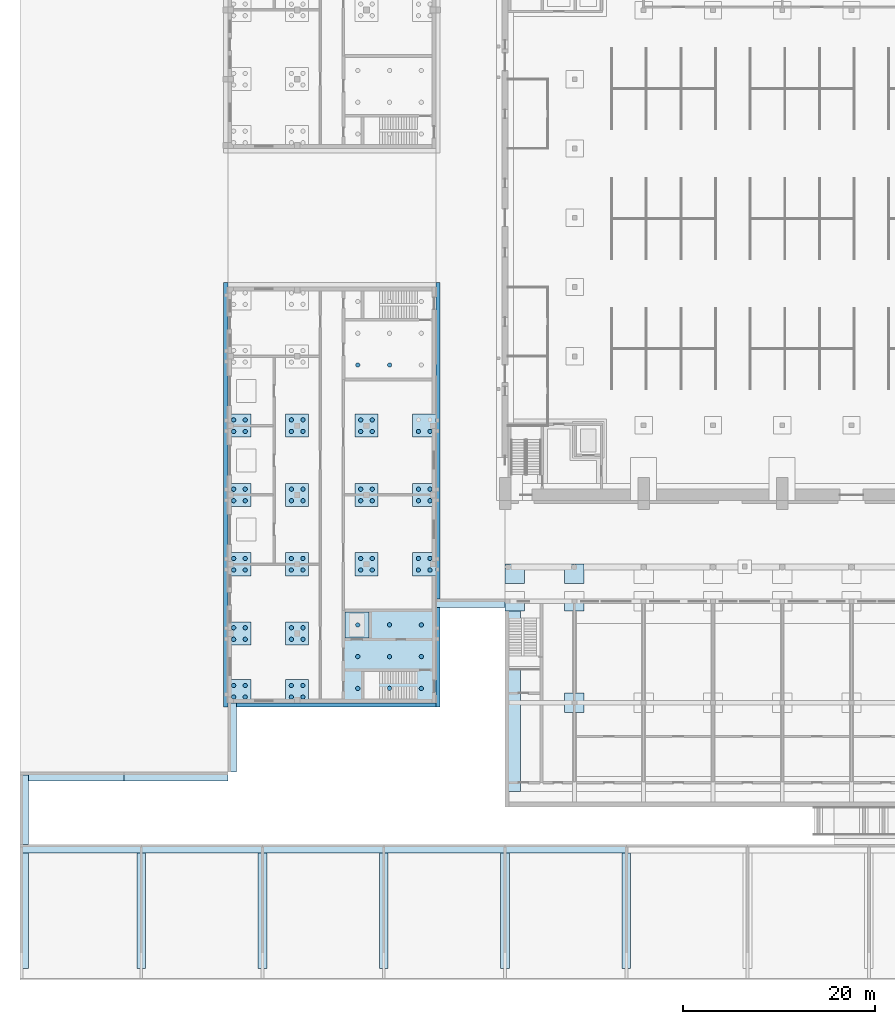
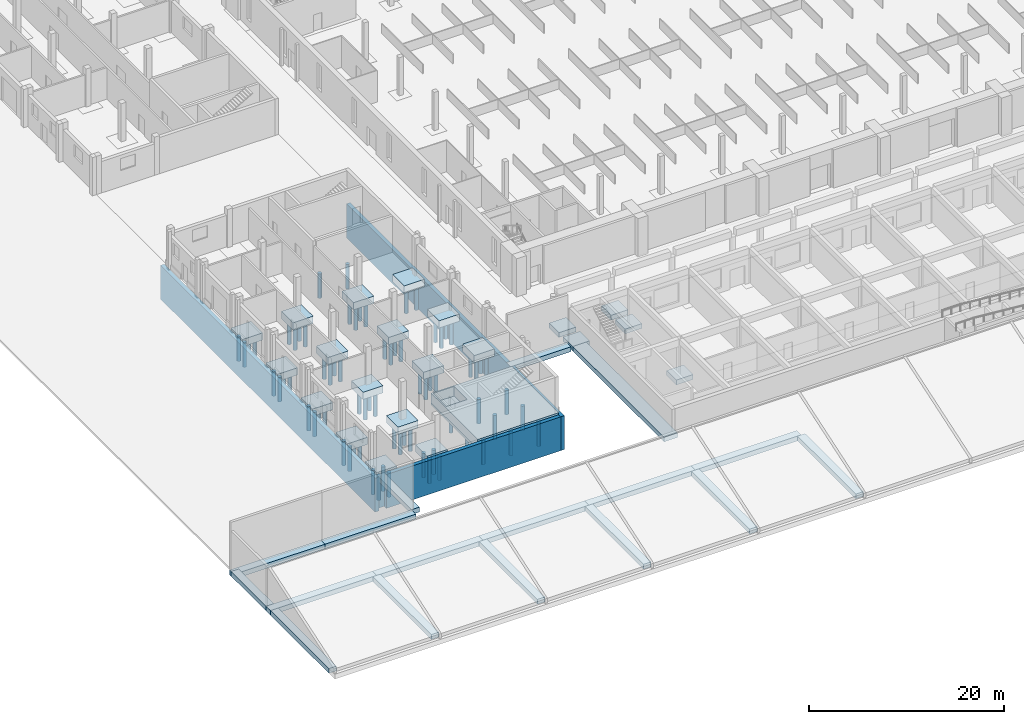
# One storey, part 1 of 73: 73 piles, 43 footings.
"""IFC4 building model written with IfcOpenShell, lengths in metres."""

from ifc_helpers import new_model, si_unit, direction, frame, origin, origin_2d, place, context, subcontext, project, spatial, polyline, circle, outline, extrude, material, material_profile, profile_set, type_object, element, save


model = new_model("IFC4")

# Units and contexts
model_context = context("Model", 3, precision=1e-05, world=origin(), true_north=direction((0.0, 1.0)))
body_context = subcontext(model_context, "Body", "Model", "MODEL_VIEW")
ifc_project = project(units=[si_unit("LENGTHUNIT", "METRE"), si_unit("AREAUNIT", "SQUARE_METRE"), si_unit("VOLUMEUNIT", "CUBIC_METRE"), si_unit("PLANEANGLEUNIT", "RADIAN"), si_unit("MASSUNIT", "GRAM", prefix="KILO")], contexts=[model_context])

# Site, building, storey
site_placement = place(None, origin())
site = spatial("IfcSite", under=ifc_project, at=site_placement, CompositionType="ELEMENT")
building_placement = place(site_placement, origin())
building = spatial("IfcBuilding", under=site, at=building_placement, Name="Alderwick Market Hall", CompositionType="ELEMENT")
storey_placement = place(building_placement, origin())
storey = spatial("IfcBuildingStorey", under=building, at=storey_placement, Name="LG", CompositionType="ELEMENT", Elevation=0.0)

# Footings
ifc_material_1 = material(Name="Concrete 4000 psi (f'c 28 MPa)", Category="concrete")
footing_type_1 = type_object("IfcFootingType", Name="A Pad Footing 2000x2000x600", PredefinedType="PAD_FOOTING", material=ifc_material_1)
footing_1_placement = place(storey_placement, frame((0.0, 0.0, -0.60009765625)))
element("IfcFooting", 1, at=footing_1_placement, inside=storey, type_object=footing_type_1, Name="A.S.pad.F00", PredefinedType="PAD_FOOTING", context=body_context, shape_type="SweptSolid", body=[
    extrude(outline(polyline([(50.39990234375, 38.35009765625), (52.39990234375, 38.35009765625), (52.39990234375, 40.35009765625), (50.39990234375, 40.35009765625), (50.39990234375, 38.35009765625)])), origin(), (0.0, 0.0, 1.0), 0.60009765625),
])
footing_2_placement = place(storey_placement, frame((0.0, 0.0, -0.60009765625)))
element("IfcFooting", 2, at=footing_2_placement, inside=storey, type_object=footing_type_1, Name="A.S.pad.F01", PredefinedType="PAD_FOOTING", context=body_context, shape_type="SweptSolid", body=[
    extrude(outline(polyline([(56.60009765625, 38.35009765625), (58.60009765625, 38.35009765625), (58.60009765625, 40.35009765625), (56.60009765625, 40.35009765625), (56.60009765625, 38.35009765625)])), origin(), (0.0, 0.0, 1.0), 0.60009765625),
])
footing_3_placement = place(storey_placement, frame((0.0, 0.0, -0.60009765625)))
element("IfcFooting", 3, at=footing_3_placement, inside=storey, type_object=footing_type_1, Name="A.S.pad.M00", PredefinedType="PAD_FOOTING", context=body_context, shape_type="SweptSolid", body=[
    extrude(outline(polyline([(56.60009765625, 27.800048828125), (58.60009765625, 27.800048828125), (58.60009765625, 29.800048828125), (56.60009765625, 29.800048828125), (56.60009765625, 27.800048828125)])), origin(), (0.0, 0.0, 1.0), 0.60009765625),
])
footing_4_placement = place(storey_placement, frame((0.0, 0.0, -0.60009765625)))
element("IfcFooting", 4, at=footing_4_placement, inside=storey, type_object=footing_type_1, Name="A.S.pad.C00", PredefinedType="PAD_FOOTING", context=body_context, shape_type="SweptSolid", body=[
    extrude(outline(polyline([(50.39990234375, 41.199951171875), (52.39990234375, 41.199951171875), (52.39990234375, 43.199951171875), (50.39990234375, 43.199951171875), (50.39990234375, 41.199951171875)])), origin(), (0.0, 0.0, 1.0), 0.60009765625),
])
footing_5_placement = place(storey_placement, frame((0.0, 0.0, -0.60009765625)))
element("IfcFooting", 5, at=footing_5_placement, inside=storey, type_object=footing_type_1, Name="A.S.pad.C01", PredefinedType="PAD_FOOTING", context=body_context, shape_type="SweptSolid", body=[
    extrude(outline(polyline([(56.60009765625, 41.199951171875), (58.60009765625, 41.199951171875), (58.60009765625, 43.199951171875), (56.60009765625, 43.199951171875), (56.60009765625, 41.199951171875)])), origin(), (0.0, 0.0, 1.0), 0.60009765625),
])
footing_type_2 = type_object("IfcFootingType", Name="A Strip Footing 1600x600", PredefinedType="STRIP_FOOTING", material=ifc_material_1)
footing_6_placement = place(storey_placement, frame((0.0, 0.0, -0.60009765625)))
element("IfcFooting", 6, at=footing_6_placement, inside=storey, type_object=footing_type_2, Name="A.S.strip.W", PredefinedType="STRIP_FOOTING", context=body_context, shape_type="SweptSolid", body=[
    extrude(outline(polyline([(50.39990234375, 19.60009765625), (52.0, 19.60009765625), (52.0, 38.35009765625), (50.39990234375, 38.35009765625), (50.39990234375, 19.60009765625)])), origin(), (0.0, 0.0, 1.0), 0.60009765625),
])

# Piles
ifc_material_2 = material(Name="Concrete 5000 psi (f'c 35 MPa)", Category="concrete")
ifc_material_profile = material_profile(ifc_material_2, circle(Radius=0.22509765625, at=origin_2d()), Name="B Bored Pile D450")
ifc_profile_set = profile_set([ifc_material_profile], Name="Concrete 5000 psi (f'c 35 MPa)")
pile_type = type_object("IfcPileType", Name="B Bored Pile D450", PredefinedType="BORED", material=ifc_profile_set)
for number, where, z_axis, x_axis, name in (
    (7, (22.199951171875, 29.39990234375, -0.824951171875), (0.0, 0.0, -1.0), (1.0, 0.0, 0.0), "B.S.cap.003-003.pile1"),
    (8, (23.39990234375, 29.39990234375, -0.824951171875), (0.0, 0.0, -1.0), (1.0, 0.0, 0.0), "B.S.cap.003-003.pile2"),
    (9, (22.199951171875, 30.60009765625, -0.824951171875), (0.0, 0.0, -1.0), (1.0, 0.0, 0.0), "B.S.cap.003-003.pile3"),
    (10, (23.39990234375, 30.60009765625, -0.824951171875), (0.0, 0.0, -1.0), (1.0, 0.0, 0.0), "B.S.cap.003-003.pile4"),
    (11, (22.199951171875, 35.39990234375, -0.824951171875), (0.0, 0.0, -1.0), (1.0, 0.0, 0.0), "B.S.cap.003-072.pile1"),
    (12, (23.39990234375, 35.39990234375, -0.824951171875), (0.0, 0.0, -1.0), (1.0, 0.0, 0.0), "B.S.cap.003-072.pile2"),
    (13, (22.199951171875, 36.60009765625, -0.824951171875), (0.0, 0.0, -1.0), (1.0, 0.0, 0.0), "B.S.cap.003-072.pile3"),
    (14, (23.39990234375, 36.60009765625, -0.824951171875), (0.0, 0.0, -1.0), (1.0, 0.0, 0.0), "B.S.cap.003-072.pile4"),
    (15, (22.199951171875, 42.60009765625, -0.824951171875), (0.0, 0.0, -1.0), (1.0, 0.0, 0.0), "B.S.cap.003-144.pile1"),
    (16, (23.39990234375, 42.60009765625, -0.824951171875), (0.0, 0.0, -1.0), (1.0, 0.0, 0.0), "B.S.cap.003-144.pile2"),
    (17, (22.199951171875, 43.800048828125, -0.824951171875), (0.0, 0.0, -1.0), (1.0, 0.0, 0.0), "B.S.cap.003-144.pile3"),
    (18, (23.39990234375, 43.800048828125, -0.824951171875), (0.0, 0.0, -1.0), (1.0, 0.0, 0.0), "B.S.cap.003-144.pile4"),
    (19, (22.199951171875, 49.800048828125, -0.824951171875), (0.0, 0.0, -1.0), (1.0, 0.0, 0.0), "B.S.cap.003-216.pile1"),
    (20, (23.39990234375, 49.800048828125, -0.824951171875), (0.0, 0.0, -1.0), (1.0, 0.0, 0.0), "B.S.cap.003-216.pile2"),
    (21, (22.199951171875, 51.0, -0.824951171875), (0.0, 0.0, -1.0), (1.0, 0.0, 0.0), "B.S.cap.003-216.pile3"),
    (22, (23.39990234375, 51.0, -0.824951171875), (0.0, 0.0, -1.0), (1.0, 0.0, 0.0), "B.S.cap.003-216.pile4"),
    (23, (22.199951171875, 57.0, -0.824951171875), (0.0, 0.0, -1.0), (1.0, 0.0, 0.0), "B.S.cap.003-288.pile1"),
    (24, (23.39990234375, 57.0, -0.824951171875), (0.0, 0.0, -1.0), (1.0, 0.0, 0.0), "B.S.cap.003-288.pile2"),
    (25, (22.199951171875, 58.199951171875, -0.824951171875), (0.0, 0.0, -1.0), (1.0, 0.0, 0.0), "B.S.cap.003-288.pile3"),
    (26, (23.39990234375, 58.199951171875, -0.824951171875), (0.0, 0.0, -1.0), (1.0, 0.0, 0.0), "B.S.cap.003-288.pile4"),
    (27, (28.199951171875, 29.39990234375, -0.824951171875), (0.0, 0.0, -1.0), (1.0, 0.0, 0.0), "B.S.cap.072-003.pile1"),
    (28, (29.39990234375, 29.39990234375, -0.824951171875), (0.0, 0.0, -1.0), (1.0, 0.0, 0.0), "B.S.cap.072-003.pile2"),
    (29, (28.199951171875, 30.60009765625, -0.824951171875), (0.0, 0.0, -1.0), (1.0, 0.0, 0.0), "B.S.cap.072-003.pile3"),
    (30, (29.39990234375, 30.60009765625, -0.824951171875), (0.0, 0.0, -1.0), (1.0, 0.0, 0.0), "B.S.cap.072-003.pile4"),
    (31, (28.199951171875, 35.39990234375, -0.824951171875), (0.0, 0.0, -1.0), (1.0, 0.0, 0.0), "B.S.cap.072-072.pile1"),
    (32, (29.39990234375, 35.39990234375, -0.824951171875), (0.0, 0.0, -1.0), (1.0, 0.0, 0.0), "B.S.cap.072-072.pile2"),
    (33, (28.199951171875, 36.60009765625, -0.824951171875), (0.0, 0.0, -1.0), (1.0, 0.0, 0.0), "B.S.cap.072-072.pile3"),
    (34, (29.39990234375, 36.60009765625, -0.824951171875), (0.0, 0.0, -1.0), (1.0, 0.0, 0.0), "B.S.cap.072-072.pile4"),
    (35, (28.199951171875, 42.60009765625, -0.824951171875), (0.0, 0.0, -1.0), (1.0, 0.0, 0.0), "B.S.cap.072-144.pile1"),
    (36, (29.39990234375, 42.60009765625, -0.824951171875), (0.0, 0.0, -1.0), (1.0, 0.0, 0.0), "B.S.cap.072-144.pile2"),
    (37, (28.199951171875, 43.800048828125, -0.824951171875), (0.0, 0.0, -1.0), (1.0, 0.0, 0.0), "B.S.cap.072-144.pile3"),
    (38, (29.39990234375, 43.800048828125, -0.824951171875), (0.0, 0.0, -1.0), (1.0, 0.0, 0.0), "B.S.cap.072-144.pile4"),
    (39, (28.199951171875, 49.800048828125, -0.824951171875), (0.0, 0.0, -1.0), (1.0, 0.0, 0.0), "B.S.cap.072-216.pile1"),
    (40, (29.39990234375, 49.800048828125, -0.824951171875), (0.0, 0.0, -1.0), (1.0, 0.0, 0.0), "B.S.cap.072-216.pile2"),
    (41, (28.199951171875, 51.0, -0.824951171875), (0.0, 0.0, -1.0), (1.0, 0.0, 0.0), "B.S.cap.072-216.pile3"),
    (42, (29.39990234375, 51.0, -0.824951171875), (0.0, 0.0, -1.0), (1.0, 0.0, 0.0), "B.S.cap.072-216.pile4"),
    (43, (28.199951171875, 57.0, -0.824951171875), (0.0, 0.0, -1.0), (1.0, 0.0, 0.0), "B.S.cap.072-288.pile1"),
    (44, (29.39990234375, 57.0, -0.824951171875), (0.0, 0.0, -1.0), (1.0, 0.0, 0.0), "B.S.cap.072-288.pile2"),
    (45, (28.199951171875, 58.199951171875, -0.824951171875), (0.0, 0.0, -1.0), (1.0, 0.0, 0.0), "B.S.cap.072-288.pile3"),
    (46, (29.39990234375, 58.199951171875, -0.824951171875), (0.0, 0.0, -1.0), (1.0, 0.0, 0.0), "B.S.cap.072-288.pile4"),
    (47, (35.39990234375, 42.60009765625, -0.824951171875), (0.0, 0.0, -1.0), (1.0, 0.0, 0.0), "B.S.cap.144-144.pile1"),
    (48, (36.60009765625, 42.60009765625, -0.824951171875), (0.0, 0.0, -1.0), (1.0, 0.0, 0.0), "B.S.cap.144-144.pile2"),
    (49, (35.39990234375, 43.800048828125, -0.824951171875), (0.0, 0.0, -1.0), (1.0, 0.0, 0.0), "B.S.cap.144-144.pile3"),
    (50, (36.60009765625, 43.800048828125, -0.824951171875), (0.0, 0.0, -1.0), (1.0, 0.0, 0.0), "B.S.cap.144-144.pile4"),
    (51, (35.39990234375, 49.800048828125, -0.824951171875), (0.0, 0.0, -1.0), (1.0, 0.0, 0.0), "B.S.cap.144-216.pile1"),
    (52, (36.60009765625, 49.800048828125, -0.824951171875), (0.0, 0.0, -1.0), (1.0, 0.0, 0.0), "B.S.cap.144-216.pile2"),
    (53, (35.39990234375, 51.0, -0.824951171875), (0.0, 0.0, -1.0), (1.0, 0.0, 0.0), "B.S.cap.144-216.pile3"),
    (54, (36.60009765625, 51.0, -0.824951171875), (0.0, 0.0, -1.0), (1.0, 0.0, 0.0), "B.S.cap.144-216.pile4"),
    (55, (35.39990234375, 57.0, -0.824951171875), (0.0, 0.0, -1.0), (1.0, 0.0, 0.0), "B.S.cap.144-288.pile1"),
    (56, (36.60009765625, 57.0, -0.824951171875), (0.0, 0.0, -1.0), (1.0, 0.0, 0.0), "B.S.cap.144-288.pile2"),
    (57, (35.39990234375, 58.199951171875, -0.824951171875), (0.0, 0.0, -1.0), (1.0, 0.0, 0.0), "B.S.cap.144-288.pile3"),
    (58, (36.60009765625, 58.199951171875, -0.824951171875), (0.0, 0.0, -1.0), (1.0, 0.0, 0.0), "B.S.cap.144-288.pile4"),
    (59, (41.39990234375, 42.60009765625, -0.824951171875), (0.0, 0.0, -1.0), (1.0, 0.0, 0.0), "B.S.cap.213-144.pile1"),
    (60, (42.60009765625, 42.60009765625, -0.824951171875), (0.0, 0.0, -1.0), (1.0, 0.0, 0.0), "B.S.cap.213-144.pile2"),
    (61, (41.39990234375, 43.800048828125, -0.824951171875), (0.0, 0.0, -1.0), (1.0, 0.0, 0.0), "B.S.cap.213-144.pile3"),
    (62, (42.60009765625, 43.800048828125, -0.824951171875), (0.0, 0.0, -1.0), (1.0, 0.0, 0.0), "B.S.cap.213-144.pile4"),
    (63, (41.39990234375, 49.800048828125, -0.824951171875), (0.0, 0.0, -1.0), (1.0, 0.0, 0.0), "B.S.cap.213-216.pile1"),
    (64, (42.60009765625, 49.800048828125, -0.824951171875), (0.0, 0.0, -1.0), (1.0, 0.0, 0.0), "B.S.cap.213-216.pile2"),
    (65, (41.39990234375, 51.0, -0.824951171875), (0.0, 0.0, -1.0), (1.0, 0.0, 0.0), "B.S.cap.213-216.pile3"),
    (66, (42.60009765625, 51.0, -0.824951171875), (0.0, 0.0, -1.0), (1.0, 0.0, 0.0), "B.S.cap.213-216.pile4"),
    (67, (41.39990234375, 57.0, -0.824951171875), (0.0, 0.0, -1.0), (1.0, 0.0, 0.0), "B.S.cap.213-288.pile1"),
    (68, (42.60009765625, 57.0, -0.824951171875), (0.0, 0.0, -1.0), (1.0, 0.0, 0.0), "B.S.cap.213-288.pile2"),
    (69, (35.10009765625, 30.300048828125, -1.425048828125), (0.0, 0.0, -1.0), (1.0, 0.0, 0.0), "B.S.raft.S-1.pile1"),
    (70, (38.39990234375, 30.300048828125, -1.425048828125), (0.0, 0.0, -1.0), (1.0, 0.0, 0.0), "B.S.raft.S-1.pile2"),
    (71, (41.699951171875, 30.300048828125, -1.425048828125), (0.0, 0.0, -1.0), (1.0, 0.0, 0.0), "B.S.raft.S-1.pile3"),
    (72, (35.10009765625, 33.60009765625, -1.425048828125), (0.0, 0.0, -1.0), (1.0, 0.0, 0.0), "B.S.raft.S-1.pile4"),
    (73, (38.39990234375, 33.60009765625, -1.425048828125), (0.0, 0.0, -1.0), (1.0, 0.0, 0.0), "B.S.raft.S-1.pile5"),
    (74, (41.699951171875, 33.60009765625, -1.425048828125), (0.0, 0.0, -1.0), (1.0, 0.0, 0.0), "B.S.raft.S-1.pile6"),
    (75, (35.10009765625, 36.89990234375, -1.425048828125), (0.0, 0.0, -1.0), (1.0, 0.0, 0.0), "B.S.raft.S-1.pile7"),
    (76, (38.39990234375, 36.89990234375, -1.425048828125), (0.0, 0.0, -1.0), (1.0, 0.0, 0.0), "B.S.raft.S-1.pile8"),
    (77, (41.699951171875, 36.89990234375, -1.425048828125), (0.0, 0.0, -1.0), (1.0, 0.0, 0.0), "B.S.raft.S-1.pile9"),
    (78, (35.10009765625, 63.89990234375, -0.875), (0.0, 0.0, -1.0), (1.0, 0.0, 0.0), "B.S.raft.S-2.pile1"),
    (79, (38.39990234375, 63.89990234375, -0.875), (0.0, 0.0, -1.0), (1.0, 0.0, 0.0), "B.S.raft.S-2.pile2"),
):
    element("IfcPile", number, at=place(storey_placement, frame(where, z_axis=z_axis, x_axis=x_axis)), inside=storey, type_object=pile_type, Name=name, PredefinedType="BORED", context=body_context, shape_type="SweptSolid", body=[
        extrude(circle(Radius=0.22509765625, at=origin_2d()), origin(), (0.0, 0.0, 1.0), 3.074951171875),
    ])

# Footings
footing_type_3 = type_object("IfcFootingType", Name="B Core Raft 1200", PredefinedType="PAD_FOOTING", material=ifc_material_2)
footing_7_placement = place(storey_placement, frame((0.0, 0.0, -1.199951171875)))
element("IfcFooting", 80, at=footing_7_placement, inside=storey, type_object=footing_type_3, Name="Core raft S-1", PredefinedType="PAD_FOOTING", context=body_context, shape_type="SweptSolid", body=[
    extrude(outline(polyline([(33.60009765625, 28.800048828125), (33.60009765625, 38.39990234375), (43.199951171875, 38.39990234375), (43.199951171875, 28.800048828125), (33.60009765625, 28.800048828125)]), holes=[polyline([(36.25, 35.550048828125), (36.25, 38.25), (33.75, 38.25), (33.75, 35.550048828125), (36.25, 35.550048828125)])]), origin(), (0.0, 0.0, 1.0), 1.199951171875),
])
footing_type_4 = type_object("IfcFootingType", Name="B Core Raft 300", PredefinedType="PAD_FOOTING", material=ifc_material_2)
footing_8_placement = place(storey_placement, frame((0.0, 0.0, -1.5)))
element("IfcFooting", 81, at=footing_8_placement, inside=storey, type_object=footing_type_4, Name="Core raft S-1 lower", PredefinedType="PAD_FOOTING", context=body_context, shape_type="SweptSolid", body=[
    extrude(outline(polyline([(33.60009765625, 28.800048828125), (43.199951171875, 28.800048828125), (43.199951171875, 38.39990234375), (33.60009765625, 38.39990234375), (33.60009765625, 28.800048828125)])), origin(), (0.0, 0.0, 1.0), 0.300048828125),
])
footing_type_5 = type_object("IfcFootingType", Name="B Pile Cap 2400x2400x900", PredefinedType="PILE_CAP", material=ifc_material_2)
footing_9_placement = place(storey_placement, frame((0.0, 0.0, -0.89990234375)))
element("IfcFooting", 82, at=footing_9_placement, inside=storey, type_object=footing_type_5, Name="B.S.cap.003-003", PredefinedType="PILE_CAP", context=body_context, shape_type="SweptSolid", body=[
    extrude(outline(polyline([(21.60009765625, 28.800048828125), (24.0, 28.800048828125), (24.0, 31.199951171875), (21.60009765625, 31.199951171875), (21.60009765625, 28.800048828125)])), origin(), (0.0, 0.0, 1.0), 0.89990234375),
])
footing_10_placement = place(storey_placement, frame((0.0, 0.0, -0.89990234375)))
element("IfcFooting", 83, at=footing_10_placement, inside=storey, type_object=footing_type_5, Name="B.S.cap.003-072", PredefinedType="PILE_CAP", context=body_context, shape_type="SweptSolid", body=[
    extrude(outline(polyline([(21.60009765625, 34.800048828125), (24.0, 34.800048828125), (24.0, 37.199951171875), (21.60009765625, 37.199951171875), (21.60009765625, 34.800048828125)])), origin(), (0.0, 0.0, 1.0), 0.89990234375),
])
footing_11_placement = place(storey_placement, frame((0.0, 0.0, -0.89990234375)))
element("IfcFooting", 84, at=footing_11_placement, inside=storey, type_object=footing_type_5, Name="B.S.cap.003-144", PredefinedType="PILE_CAP", context=body_context, shape_type="SweptSolid", body=[
    extrude(outline(polyline([(21.60009765625, 42.0), (24.0, 42.0), (24.0, 44.39990234375), (21.60009765625, 44.39990234375), (21.60009765625, 42.0)])), origin(), (0.0, 0.0, 1.0), 0.89990234375),
])
footing_12_placement = place(storey_placement, frame((0.0, 0.0, -0.89990234375)))
element("IfcFooting", 85, at=footing_12_placement, inside=storey, type_object=footing_type_5, Name="B.S.cap.003-216", PredefinedType="PILE_CAP", context=body_context, shape_type="SweptSolid", body=[
    extrude(outline(polyline([(21.60009765625, 49.199951171875), (24.0, 49.199951171875), (24.0, 51.60009765625), (21.60009765625, 51.60009765625), (21.60009765625, 49.199951171875)])), origin(), (0.0, 0.0, 1.0), 0.89990234375),
])
footing_13_placement = place(storey_placement, frame((0.0, 0.0, -0.89990234375)))
element("IfcFooting", 86, at=footing_13_placement, inside=storey, type_object=footing_type_5, Name="B.S.cap.003-288", PredefinedType="PILE_CAP", context=body_context, shape_type="SweptSolid", body=[
    extrude(outline(polyline([(21.60009765625, 56.39990234375), (24.0, 56.39990234375), (24.0, 58.800048828125), (21.60009765625, 58.800048828125), (21.60009765625, 56.39990234375)])), origin(), (0.0, 0.0, 1.0), 0.89990234375),
])
footing_14_placement = place(storey_placement, frame((0.0, 0.0, -0.89990234375)))
element("IfcFooting", 87, at=footing_14_placement, inside=storey, type_object=footing_type_5, Name="B.S.cap.072-003", PredefinedType="PILE_CAP", context=body_context, shape_type="SweptSolid", body=[
    extrude(outline(polyline([(27.60009765625, 28.800048828125), (30.0, 28.800048828125), (30.0, 31.199951171875), (27.60009765625, 31.199951171875), (27.60009765625, 28.800048828125)])), origin(), (0.0, 0.0, 1.0), 0.89990234375),
])
footing_15_placement = place(storey_placement, frame((0.0, 0.0, -0.89990234375)))
element("IfcFooting", 88, at=footing_15_placement, inside=storey, type_object=footing_type_5, Name="B.S.cap.072-072", PredefinedType="PILE_CAP", context=body_context, shape_type="SweptSolid", body=[
    extrude(outline(polyline([(27.60009765625, 34.800048828125), (30.0, 34.800048828125), (30.0, 37.199951171875), (27.60009765625, 37.199951171875), (27.60009765625, 34.800048828125)])), origin(), (0.0, 0.0, 1.0), 0.89990234375),
])
footing_16_placement = place(storey_placement, frame((0.0, 0.0, -0.89990234375)))
element("IfcFooting", 89, at=footing_16_placement, inside=storey, type_object=footing_type_5, Name="B.S.cap.072-144", PredefinedType="PILE_CAP", context=body_context, shape_type="SweptSolid", body=[
    extrude(outline(polyline([(27.60009765625, 42.0), (30.0, 42.0), (30.0, 44.39990234375), (27.60009765625, 44.39990234375), (27.60009765625, 42.0)])), origin(), (0.0, 0.0, 1.0), 0.89990234375),
])
footing_17_placement = place(storey_placement, frame((0.0, 0.0, -0.89990234375)))
element("IfcFooting", 90, at=footing_17_placement, inside=storey, type_object=footing_type_5, Name="B.S.cap.072-216", PredefinedType="PILE_CAP", context=body_context, shape_type="SweptSolid", body=[
    extrude(outline(polyline([(27.60009765625, 49.199951171875), (30.0, 49.199951171875), (30.0, 51.60009765625), (27.60009765625, 51.60009765625), (27.60009765625, 49.199951171875)])), origin(), (0.0, 0.0, 1.0), 0.89990234375),
])
footing_18_placement = place(storey_placement, frame((0.0, 0.0, -0.89990234375)))
element("IfcFooting", 91, at=footing_18_placement, inside=storey, type_object=footing_type_5, Name="B.S.cap.072-288", PredefinedType="PILE_CAP", context=body_context, shape_type="SweptSolid", body=[
    extrude(outline(polyline([(27.60009765625, 56.39990234375), (30.0, 56.39990234375), (30.0, 58.800048828125), (27.60009765625, 58.800048828125), (27.60009765625, 56.39990234375)])), origin(), (0.0, 0.0, 1.0), 0.89990234375),
])
footing_19_placement = place(storey_placement, frame((0.0, 0.0, -0.89990234375)))
element("IfcFooting", 92, at=footing_19_placement, inside=storey, type_object=footing_type_5, Name="B.S.cap.144-144", PredefinedType="PILE_CAP", context=body_context, shape_type="SweptSolid", body=[
    extrude(outline(polyline([(34.800048828125, 42.0), (37.199951171875, 42.0), (37.199951171875, 44.39990234375), (34.800048828125, 44.39990234375), (34.800048828125, 42.0)])), origin(), (0.0, 0.0, 1.0), 0.89990234375),
])
footing_20_placement = place(storey_placement, frame((0.0, 0.0, -0.89990234375)))
element("IfcFooting", 93, at=footing_20_placement, inside=storey, type_object=footing_type_5, Name="B.S.cap.144-216", PredefinedType="PILE_CAP", context=body_context, shape_type="SweptSolid", body=[
    extrude(outline(polyline([(34.800048828125, 49.199951171875), (37.199951171875, 49.199951171875), (37.199951171875, 51.60009765625), (34.800048828125, 51.60009765625), (34.800048828125, 49.199951171875)])), origin(), (0.0, 0.0, 1.0), 0.89990234375),
])
footing_21_placement = place(storey_placement, frame((0.0, 0.0, -0.89990234375)))
element("IfcFooting", 94, at=footing_21_placement, inside=storey, type_object=footing_type_5, Name="B.S.cap.144-288", PredefinedType="PILE_CAP", context=body_context, shape_type="SweptSolid", body=[
    extrude(outline(polyline([(34.800048828125, 56.39990234375), (37.199951171875, 56.39990234375), (37.199951171875, 58.800048828125), (34.800048828125, 58.800048828125), (34.800048828125, 56.39990234375)])), origin(), (0.0, 0.0, 1.0), 0.89990234375),
])
footing_22_placement = place(storey_placement, frame((0.0, 0.0, -0.89990234375)))
element("IfcFooting", 95, at=footing_22_placement, inside=storey, type_object=footing_type_5, Name="B.S.cap.213-144", PredefinedType="PILE_CAP", context=body_context, shape_type="SweptSolid", body=[
    extrude(outline(polyline([(40.800048828125, 42.0), (43.199951171875, 42.0), (43.199951171875, 44.39990234375), (40.800048828125, 44.39990234375), (40.800048828125, 42.0)])), origin(), (0.0, 0.0, 1.0), 0.89990234375),
])
footing_23_placement = place(storey_placement, frame((0.0, 0.0, -0.89990234375)))
element("IfcFooting", 96, at=footing_23_placement, inside=storey, type_object=footing_type_5, Name="B.S.cap.213-216", PredefinedType="PILE_CAP", context=body_context, shape_type="SweptSolid", body=[
    extrude(outline(polyline([(40.800048828125, 49.199951171875), (43.199951171875, 49.199951171875), (43.199951171875, 51.60009765625), (40.800048828125, 51.60009765625), (40.800048828125, 49.199951171875)])), origin(), (0.0, 0.0, 1.0), 0.89990234375),
])
footing_24_placement = place(storey_placement, frame((0.0, 0.0, -0.89990234375)))
element("IfcFooting", 97, at=footing_24_placement, inside=storey, type_object=footing_type_5, Name="B.S.cap.213-288", PredefinedType="PILE_CAP", context=body_context, shape_type="SweptSolid", body=[
    extrude(outline(polyline([(40.800048828125, 56.39990234375), (43.199951171875, 56.39990234375), (43.199951171875, 58.800048828125), (40.800048828125, 58.800048828125), (40.800048828125, 56.39990234375)])), origin(), (0.0, 0.0, 1.0), 0.89990234375),
])
footing_type_6 = type_object("IfcFootingType", Name="S Perimeter Pile Wall 450", PredefinedType="STRIP_FOOTING", material=ifc_material_2)
footing_25_placement = place(storey_placement, frame((0.0, 0.0, -4.5)))
element("IfcFooting", 98, at=footing_25_placement, inside=storey, type_object=footing_type_6, Name="Pile wall Sw 01", PredefinedType="STRIP_FOOTING", context=body_context, shape_type="SweptSolid", body=[
    extrude(outline(polyline([(21.60009765625, 28.7900390625), (21.60009765625, 28.800048828125), (21.60009765625, 31.199951171875), (21.60009765625, 34.800048828125), (21.60009765625, 37.199951171875), (21.60009765625, 42.0), (21.60009765625, 44.39990234375), (21.60009765625, 49.199951171875), (21.60009765625, 51.60009765625), (21.60009765625, 56.39990234375), (21.60009765625, 58.800048828125), (21.60009765625, 63.60009765625), (21.60009765625, 66.0), (21.60009765625, 69.60009765625), (21.60009765625, 72.0), (21.60009765625, 72.449951171875), (21.14990234375, 72.449951171875), (21.14990234375, 28.35009765625), (21.60009765625, 28.35009765625), (21.60009765625, 28.7900390625)])), origin(), (0.0, 0.0, 1.0), 4.25),
])
footing_26_placement = place(storey_placement, frame((0.0, 0.0, -4.5)))
element("IfcFooting", 99, at=footing_26_placement, inside=storey, type_object=footing_type_6, Name="Pile wall Se 02", PredefinedType="STRIP_FOOTING", context=body_context, shape_type="SweptSolid", body=[
    extrude(outline(polyline([(43.64990234375, 38.699951171875), (43.2099609375, 38.699951171875), (43.2099609375, 39.60009765625), (43.64990234375, 39.60009765625), (43.64990234375, 72.449951171875), (43.199951171875, 72.449951171875), (43.199951171875, 72.0), (43.199951171875, 62.39990234375), (43.199951171875, 58.800048828125), (43.199951171875, 56.39990234375), (43.199951171875, 51.60009765625), (43.199951171875, 49.199951171875), (43.199951171875, 44.39990234375), (43.199951171875, 42.0), (43.199951171875, 38.39990234375), (43.199951171875, 28.800048828125), (43.199951171875, 28.35009765625), (43.64990234375, 28.35009765625), (43.64990234375, 38.699951171875)])), origin(), (0.0, 0.0, 1.0), 4.25),
])
footing_27_placement = place(storey_placement, frame((0.0, 0.0, -4.5)))
element("IfcFooting", 100, at=footing_27_placement, inside=storey, type_object=footing_type_6, Name="Pile wall Ss 03", PredefinedType="STRIP_FOOTING", context=body_context, shape_type="SweptSolid", body=[
    extrude(outline(polyline([(43.199951171875, 28.800048828125), (33.60009765625, 28.800048828125), (30.0, 28.800048828125), (27.60009765625, 28.800048828125), (24.0, 28.800048828125), (21.60009765625, 28.800048828125), (21.60009765625, 28.7900390625), (22.5, 28.7900390625), (22.5, 28.35009765625), (43.199951171875, 28.35009765625), (43.199951171875, 28.800048828125)])), origin(), (0.0, 0.0, 1.0), 4.25),
])
footing_type_7 = type_object("IfcFootingType", Name="S Strip Footing 900", PredefinedType="STRIP_FOOTING", material=ifc_material_1)
footing_28_placement = place(storey_placement, frame((0.0, 0.0, -0.85009765625)))
element("IfcFooting", 101, at=footing_28_placement, inside=storey, type_object=footing_type_7, Name="S.efoot.01a.1", PredefinedType="STRIP_FOOTING", context=body_context, shape_type="SweptSolid", body=[
    extrude(outline(polyline([(22.5, 28.7900390625), (21.60009765625, 28.7900390625), (21.60009765625, 21.60009765625), (22.5, 21.60009765625), (22.5, 28.7900390625)])), origin(), (0.0, 0.0, 1.0), 0.60009765625),
])
footing_29_placement = place(storey_placement, frame((0.0, 0.0, -0.85009765625)))
element("IfcFooting", 102, at=footing_29_placement, inside=storey, type_object=footing_type_7, Name="S.efoot.02a.1", PredefinedType="STRIP_FOOTING", context=body_context, shape_type="SweptSolid", body=[
    extrude(outline(polyline([(0.0, 20.699951171875), (10.800048828125, 20.699951171875), (10.800048828125, 21.60009765625), (0.0, 21.60009765625), (0.0, 20.699951171875)])), origin(), (0.0, 0.0, 1.0), 0.60009765625),
])
footing_30_placement = place(storey_placement, frame((0.0, 0.0, -0.85009765625)))
element("IfcFooting", 103, at=footing_30_placement, inside=storey, type_object=footing_type_7, Name="S.efoot.02b.1", PredefinedType="STRIP_FOOTING", context=body_context, shape_type="SweptSolid", body=[
    extrude(outline(polyline([(10.800048828125, 21.60009765625), (10.800048828125, 20.699951171875), (21.60009765625, 20.699951171875), (21.60009765625, 21.60009765625), (10.800048828125, 21.60009765625)])), origin(), (0.0, 0.0, 1.0), 0.60009765625),
])
footing_31_placement = place(storey_placement, frame((0.0, 0.0, -0.85009765625)))
element("IfcFooting", 104, at=footing_31_placement, inside=storey, type_object=footing_type_7, Name="S.efoot.08a.1", PredefinedType="STRIP_FOOTING", context=body_context, shape_type="SweptSolid", body=[
    extrude(outline(polyline([(43.2099609375, 38.699951171875), (50.389892578125, 38.699951171875), (50.389892578125, 39.60009765625), (43.2099609375, 39.60009765625), (43.2099609375, 38.699951171875)])), origin(), (0.0, 0.0, 1.0), 0.60009765625),
])
footing_32_placement = place(storey_placement, frame((0.0, 0.0, -0.85009765625)))
element("IfcFooting", 105, at=footing_32_placement, inside=storey, type_object=footing_type_7, Name="S.berm.S.cfoot.01", PredefinedType="STRIP_FOOTING", context=body_context, shape_type="SweptSolid", body=[
    extrude(outline(polyline([(12.60009765625, 13.199951171875), (12.60009765625, 14.10009765625), (0.0, 14.10009765625), (0.0, 13.199951171875), (12.60009765625, 13.199951171875)])), origin(), (0.0, 0.0, 1.0), 0.60009765625),
])
footing_33_placement = place(storey_placement, frame((0.0, 0.0, -0.85009765625)))
element("IfcFooting", 106, at=footing_33_placement, inside=storey, type_object=footing_type_7, Name="S.berm.S.cfoot.02", PredefinedType="STRIP_FOOTING", context=body_context, shape_type="SweptSolid", body=[
    extrude(outline(polyline([(25.199951171875, 13.199951171875), (25.199951171875, 14.10009765625), (12.60009765625, 14.10009765625), (12.60009765625, 13.199951171875), (25.199951171875, 13.199951171875)])), origin(), (0.0, 0.0, 1.0), 0.60009765625),
])
footing_34_placement = place(storey_placement, frame((0.0, 0.0, -0.85009765625)))
element("IfcFooting", 107, at=footing_34_placement, inside=storey, type_object=footing_type_7, Name="S.berm.S.cfoot.03", PredefinedType="STRIP_FOOTING", context=body_context, shape_type="SweptSolid", body=[
    extrude(outline(polyline([(37.800048828125, 13.199951171875), (37.800048828125, 14.10009765625), (25.199951171875, 14.10009765625), (25.199951171875, 13.199951171875), (37.800048828125, 13.199951171875)])), origin(), (0.0, 0.0, 1.0), 0.60009765625),
])
footing_35_placement = place(storey_placement, frame((0.0, 0.0, -0.85009765625)))
element("IfcFooting", 108, at=footing_35_placement, inside=storey, type_object=footing_type_7, Name="S.berm.S.cfoot.04", PredefinedType="STRIP_FOOTING", context=body_context, shape_type="SweptSolid", body=[
    extrude(outline(polyline([(50.39990234375, 13.199951171875), (50.39990234375, 14.10009765625), (37.800048828125, 14.10009765625), (37.800048828125, 13.199951171875), (50.39990234375, 13.199951171875)])), origin(), (0.0, 0.0, 1.0), 0.60009765625),
])
footing_36_placement = place(storey_placement, frame((0.0, 0.0, -0.85009765625)))
element("IfcFooting", 109, at=footing_36_placement, inside=storey, type_object=footing_type_7, Name="S.berm.S.cfoot.05", PredefinedType="STRIP_FOOTING", context=body_context, shape_type="SweptSolid", body=[
    extrude(outline(polyline([(63.0, 13.199951171875), (63.0, 14.10009765625), (50.39990234375, 14.10009765625), (50.39990234375, 13.199951171875), (63.0, 13.199951171875)])), origin(), (0.0, 0.0, 1.0), 0.60009765625),
])
footing_37_placement = place(storey_placement, frame((0.0, 0.0, -0.85009765625)))
element("IfcFooting", 110, at=footing_37_placement, inside=storey, type_object=footing_type_7, Name="S.berm.S.xfoot.01", PredefinedType="STRIP_FOOTING", context=body_context, shape_type="SweptSolid", body=[
    extrude(outline(polyline([(0.89990234375, 1.199951171875), (0.89990234375, 13.199951171875), (0.0, 13.199951171875), (0.0, 1.199951171875), (0.89990234375, 1.199951171875)])), origin(), (0.0, 0.0, 1.0), 0.60009765625),
])
footing_38_placement = place(storey_placement, frame((0.0, 0.0, -0.85009765625)))
element("IfcFooting", 111, at=footing_38_placement, inside=storey, type_object=footing_type_7, Name="S.berm.S.xfoot.02", PredefinedType="STRIP_FOOTING", context=body_context, shape_type="SweptSolid", body=[
    extrude(outline(polyline([(13.050048828125, 1.199951171875), (13.050048828125, 13.199951171875), (12.14990234375, 13.199951171875), (12.14990234375, 1.199951171875), (13.050048828125, 1.199951171875)])), origin(), (0.0, 0.0, 1.0), 0.60009765625),
])
footing_39_placement = place(storey_placement, frame((0.0, 0.0, -0.85009765625)))
element("IfcFooting", 112, at=footing_39_placement, inside=storey, type_object=footing_type_7, Name="S.berm.S.xfoot.03", PredefinedType="STRIP_FOOTING", context=body_context, shape_type="SweptSolid", body=[
    extrude(outline(polyline([(25.64990234375, 1.199951171875), (25.64990234375, 13.199951171875), (24.75, 13.199951171875), (24.75, 1.199951171875), (25.64990234375, 1.199951171875)])), origin(), (0.0, 0.0, 1.0), 0.60009765625),
])
footing_40_placement = place(storey_placement, frame((0.0, 0.0, -0.85009765625)))
element("IfcFooting", 113, at=footing_40_placement, inside=storey, type_object=footing_type_7, Name="S.berm.S.xfoot.04", PredefinedType="STRIP_FOOTING", context=body_context, shape_type="SweptSolid", body=[
    extrude(outline(polyline([(38.25, 1.199951171875), (38.25, 13.199951171875), (37.35009765625, 13.199951171875), (37.35009765625, 1.199951171875), (38.25, 1.199951171875)])), origin(), (0.0, 0.0, 1.0), 0.60009765625),
])
footing_41_placement = place(storey_placement, frame((0.0, 0.0, -0.85009765625)))
element("IfcFooting", 114, at=footing_41_placement, inside=storey, type_object=footing_type_7, Name="S.berm.S.xfoot.05", PredefinedType="STRIP_FOOTING", context=body_context, shape_type="SweptSolid", body=[
    extrude(outline(polyline([(50.85009765625, 1.199951171875), (50.85009765625, 13.199951171875), (49.949951171875, 13.199951171875), (49.949951171875, 1.199951171875), (50.85009765625, 1.199951171875)])), origin(), (0.0, 0.0, 1.0), 0.60009765625),
])
footing_42_placement = place(storey_placement, frame((0.0, 0.0, -0.85009765625)))
element("IfcFooting", 115, at=footing_42_placement, inside=storey, type_object=footing_type_7, Name="S.berm.S.xfoot.06", PredefinedType="STRIP_FOOTING", context=body_context, shape_type="SweptSolid", body=[
    extrude(outline(polyline([(63.449951171875, 1.199951171875), (63.449951171875, 13.199951171875), (62.550048828125, 13.199951171875), (62.550048828125, 1.199951171875), (63.449951171875, 1.199951171875)])), origin(), (0.0, 0.0, 1.0), 0.60009765625),
])
footing_43_placement = place(storey_placement, frame((0.0, 0.0, -0.85009765625)))
element("IfcFooting", 116, at=footing_43_placement, inside=storey, type_object=footing_type_7, Name="S.bfoot.W06a", PredefinedType="STRIP_FOOTING", context=body_context, shape_type="SweptSolid", body=[
    extrude(outline(polyline([(0.0, 14.10009765625), (0.89990234375, 14.10009765625), (0.89990234375, 21.300048828125), (0.0, 21.300048828125), (0.0, 14.10009765625)])), origin(), (0.0, 0.0, 1.0), 0.60009765625),
])

save(model, "model.ifc")
